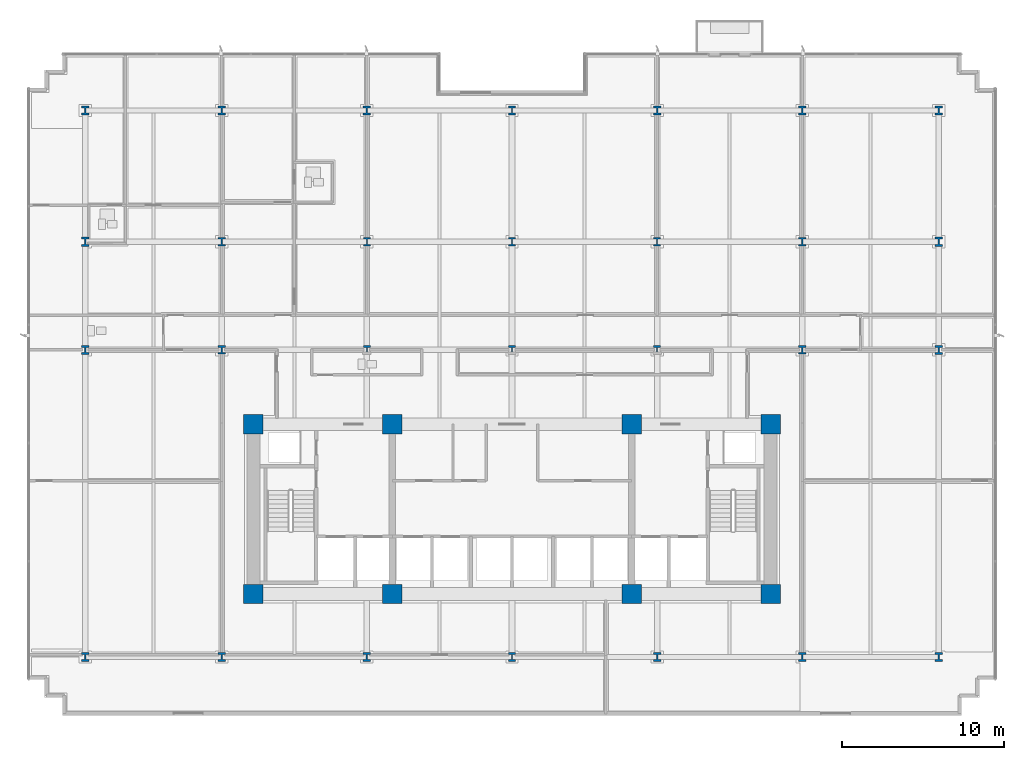
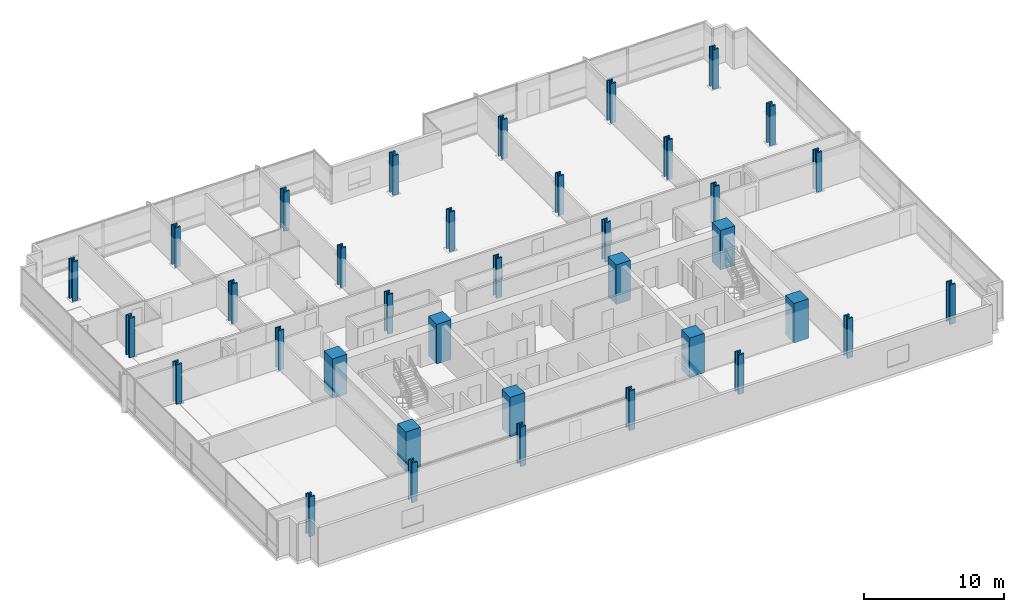
# One storey, part 1 of 21: 36 columns.
"""IFC4 building model written with IfcOpenShell, lengths in metres."""

from ifc_helpers import new_model, si_unit, direction, frame, origin, origin_2d, place, context, subcontext, project, spatial, rectangle, i_section, extrude, material, material_profile, profile_set, type_object, element, save


model = new_model("IFC4")

# Units and contexts
model_context = context("Model", 3, precision=1e-05, world=origin(), true_north=direction((0.0, 1.0)))
body_context = subcontext(model_context, "Body", "Model", "MODEL_VIEW")
ifc_project = project(units=[si_unit("LENGTHUNIT", "METRE"), si_unit("AREAUNIT", "SQUARE_METRE"), si_unit("VOLUMEUNIT", "CUBIC_METRE"), si_unit("PLANEANGLEUNIT", "RADIAN"), si_unit("MASSUNIT", "GRAM", prefix="KILO")], contexts=[model_context])

# Site, building, storey
site_placement = place(None, origin())
site = spatial("IfcSite", under=ifc_project, at=site_placement, CompositionType="ELEMENT")
building_placement = place(site_placement, origin())
building = spatial("IfcBuilding", under=site, at=building_placement, Name="Solmavex Isthmus Hotel", CompositionType="ELEMENT")
storey_placement = place(building_placement, frame((0.0, 0.0, 60.89990234375)))
storey = spatial("IfcBuildingStorey", under=building, at=storey_placement, Name="L16", CompositionType="ELEMENT", Elevation=60.89990234375)

# Columns
ifc_material_1 = material(Name="Concrete C70/85", Category="concrete")
ifc_material_profile_1 = material_profile(ifc_material_1, rectangle(XDim=1.199951171875, YDim=1.199951171875, at=origin_2d()), Name="RC1200X1200")
ifc_profile_set_1 = profile_set([ifc_material_profile_1], Name="Concrete C70/85")
column_type_1 = type_object("IfcColumnType", Name="COL-CC-1200", PredefinedType="COLUMN", material=ifc_profile_set_1)
for number, where, z_axis, x_axis, name in (
    (1, (-16.0, -13.0, 0.0), (0.0, 0.0, 1.0), (1.0, 0.0, 0.0), "Core Pilaster CC-SW L16"),
    (2, (-7.39990234375, -13.0, 0.0), (0.0, 0.0, 1.0), (1.0, 0.0, 0.0), "Core Pilaster CC-S1 L16"),
    (3, (7.39990234375, -13.0, 0.0), (0.0, 0.0, 1.0), (1.0, 0.0, 0.0), "Core Pilaster CC-S2 L16"),
    (4, (16.0, -13.0, 0.0), (0.0, 0.0, 1.0), (1.0, 0.0, 0.0), "Core Pilaster CC-SE L16"),
    (5, (-16.0, -2.5, 0.0), (0.0, 0.0, 1.0), (1.0, 0.0, 0.0), "Core Pilaster CC-NW L16"),
    (6, (-7.39990234375, -2.5, 0.0), (0.0, 0.0, 1.0), (1.0, 0.0, 0.0), "Core Pilaster CC-N1 L16"),
    (7, (7.39990234375, -2.5, 0.0), (0.0, 0.0, 1.0), (1.0, 0.0, 0.0), "Core Pilaster CC-N2 L16"),
    (8, (16.0, -2.5, 0.0), (0.0, 0.0, 1.0), (1.0, 0.0, 0.0), "Core Pilaster CC-NE L16"),
):
    element("IfcColumn", number, at=place(storey_placement, frame(where, z_axis=z_axis, x_axis=x_axis)), inside=storey, type_object=column_type_1, Name=name, PredefinedType="COLUMN", context=body_context, shape_type="SweptSolid", body=[
        extrude(rectangle(XDim=1.199951171875, YDim=1.199951171875, at=origin_2d()), origin(), (0.0, 0.0, 1.0), 3.4501953125),
    ])
ifc_material_2 = material(Name="Steel ASTM A913 Grade 65", Category="steel")
ifc_material_profile_2 = material_profile(ifc_material_2, i_section(OverallWidth=0.442138671875, OverallDepth=0.531494140625, WebThickness=0.06591796875, FlangeThickness=0.105712890625, FilletRadius=0.030517578125, at=origin_2d()), Name="W14X605")
ifc_profile_set_2 = profile_set([ifc_material_profile_2], Name="Steel ASTM A913 Grade 65")
column_type_2 = type_object("IfcColumnType", Name="COL-SC-W14X605", PredefinedType="COLUMN", material=ifc_profile_set_2)
for number, where, z_axis, x_axis, name in (
    (9, (-17.951904296875, 2.10009765625, 0.0), (0.0, 0.0, 1.0), (1.0, 0.0, 0.0), "Tower Column B1-U2V2 L16"),
    (10, (-17.951904296875, 8.7880859375, 0.0), (0.0, 0.0, 1.0), (1.0, 0.0, 0.0), "Tower Column B1-U2V3 L16"),
    (11, (-8.97607421875, 2.10009765625, 0.0), (0.0, 0.0, 1.0), (1.0, 0.0, 0.0), "Tower Column B1-U3V2 L16"),
    (12, (-8.97607421875, 8.7880859375, 0.0), (0.0, 0.0, 1.0), (1.0, 0.0, 0.0), "Tower Column B1-U3V3 L16"),
    (13, (0.0, 2.10009765625, 0.0), (0.0, 0.0, 1.0), (1.0, 0.0, 0.0), "Tower Column B1-U4V2 L16"),
    (14, (0.0, 8.7880859375, 0.0), (0.0, 0.0, 1.0), (1.0, 0.0, 0.0), "Tower Column B1-U4V3 L16"),
    (15, (8.97607421875, 2.10009765625, 0.0), (0.0, 0.0, 1.0), (1.0, 0.0, 0.0), "Tower Column B1-U5V2 L16"),
    (16, (8.97607421875, 8.7880859375, 0.0), (0.0, 0.0, 1.0), (1.0, 0.0, 0.0), "Tower Column B1-U5V3 L16"),
    (17, (17.951904296875, 2.10009765625, 0.0), (0.0, 0.0, 1.0), (1.0, 0.0, 0.0), "Tower Column B1-U6V2 L16"),
    (18, (17.951904296875, 8.7880859375, 0.0), (0.0, 0.0, 1.0), (1.0, 0.0, 0.0), "Tower Column B1-U6V3 L16"),
):
    element("IfcColumn", number, at=place(storey_placement, frame(where, z_axis=z_axis, x_axis=x_axis)), inside=storey, type_object=column_type_2, Name=name, PredefinedType="COLUMN", context=body_context, shape_type="SweptSolid", body=[
        extrude(i_section(OverallWidth=0.442138671875, OverallDepth=0.531494140625, WebThickness=0.06591796875, FlangeThickness=0.105712890625, FilletRadius=0.030517578125, at=origin_2d()), origin(), (0.0, 0.0, 1.0), 3.4501953125),
    ])
ifc_material_profile_3 = material_profile(ifc_material_2, i_section(OverallWidth=0.454345703125, OverallDepth=0.569091796875, WebThickness=0.077880859375, FlangeThickness=0.124755859375, FilletRadius=0.030517578125, at=origin_2d()), Name="W14X730")
ifc_profile_set_3 = profile_set([ifc_material_profile_3], Name="Steel ASTM A913 Grade 65")
column_type_3 = type_object("IfcColumnType", Name="COL-SC-W14X730", PredefinedType="COLUMN", material=ifc_profile_set_3)
for number, where, z_axis, x_axis, name in (
    (19, (-26.39990234375, -16.89990234375, 0.0), (0.0, 0.0, 1.0), (1.0, 0.0, 0.0), "Tower Column B1-U1V1 L16"),
    (20, (-26.39990234375, 2.10009765625, 0.0), (0.0, 0.0, 1.0), (1.0, 0.0, 0.0), "Tower Column B1-U1V2 L16"),
    (21, (-26.39990234375, 8.7880859375, 0.0), (0.0, 0.0, 1.0), (1.0, 0.0, 0.0), "Tower Column B1-U1V3 L16"),
    (22, (-26.39990234375, 16.89990234375, 0.0), (0.0, 0.0, 1.0), (1.0, 0.0, 0.0), "Tower Column B1-U1V4 L16"),
    (23, (-17.951904296875, -16.89990234375, 0.0), (0.0, 0.0, 1.0), (1.0, 0.0, 0.0), "Tower Column B1-U2V1 L16"),
    (24, (-17.951904296875, 16.89990234375, 0.0), (0.0, 0.0, 1.0), (1.0, 0.0, 0.0), "Tower Column B1-U2V4 L16"),
    (25, (-8.97607421875, -16.89990234375, 0.0), (0.0, 0.0, 1.0), (1.0, 0.0, 0.0), "Tower Column B1-U3V1 L16"),
    (26, (-8.97607421875, 16.89990234375, 0.0), (0.0, 0.0, 1.0), (1.0, 0.0, 0.0), "Tower Column B1-U3V4 L16"),
    (27, (0.0, -16.89990234375, 0.0), (0.0, 0.0, 1.0), (1.0, 0.0, 0.0), "Tower Column B1-U4V1 L16"),
    (28, (0.0, 16.89990234375, 0.0), (0.0, 0.0, 1.0), (1.0, 0.0, 0.0), "Tower Column B1-U4V4 L16"),
    (29, (8.97607421875, -16.89990234375, 0.0), (0.0, 0.0, 1.0), (1.0, 0.0, 0.0), "Tower Column B1-U5V1 L16"),
    (30, (8.97607421875, 16.89990234375, 0.0), (0.0, 0.0, 1.0), (1.0, 0.0, 0.0), "Tower Column B1-U5V4 L16"),
    (31, (17.951904296875, -16.89990234375, 0.0), (0.0, 0.0, 1.0), (1.0, 0.0, 0.0), "Tower Column B1-U6V1 L16"),
    (32, (17.951904296875, 16.89990234375, 0.0), (0.0, 0.0, 1.0), (1.0, 0.0, 0.0), "Tower Column B1-U6V4 L16"),
    (33, (26.39990234375, -16.89990234375, 0.0), (0.0, 0.0, 1.0), (1.0, 0.0, 0.0), "Tower Column B1-U7V1 L16"),
    (34, (26.39990234375, 2.10009765625, 0.0), (0.0, 0.0, 1.0), (1.0, 0.0, 0.0), "Tower Column B1-U7V2 L16"),
    (35, (26.39990234375, 8.7880859375, 0.0), (0.0, 0.0, 1.0), (1.0, 0.0, 0.0), "Tower Column B1-U7V3 L16"),
    (36, (26.39990234375, 16.89990234375, 0.0), (0.0, 0.0, 1.0), (1.0, 0.0, 0.0), "Tower Column B1-U7V4 L16"),
):
    element("IfcColumn", number, at=place(storey_placement, frame(where, z_axis=z_axis, x_axis=x_axis)), inside=storey, type_object=column_type_3, Name=name, PredefinedType="COLUMN", context=body_context, shape_type="SweptSolid", body=[
        extrude(i_section(OverallWidth=0.454345703125, OverallDepth=0.569091796875, WebThickness=0.077880859375, FlangeThickness=0.124755859375, FilletRadius=0.030517578125, at=origin_2d()), origin(), (0.0, 0.0, 1.0), 3.4501953125),
    ])

save(model, "model.ifc")
